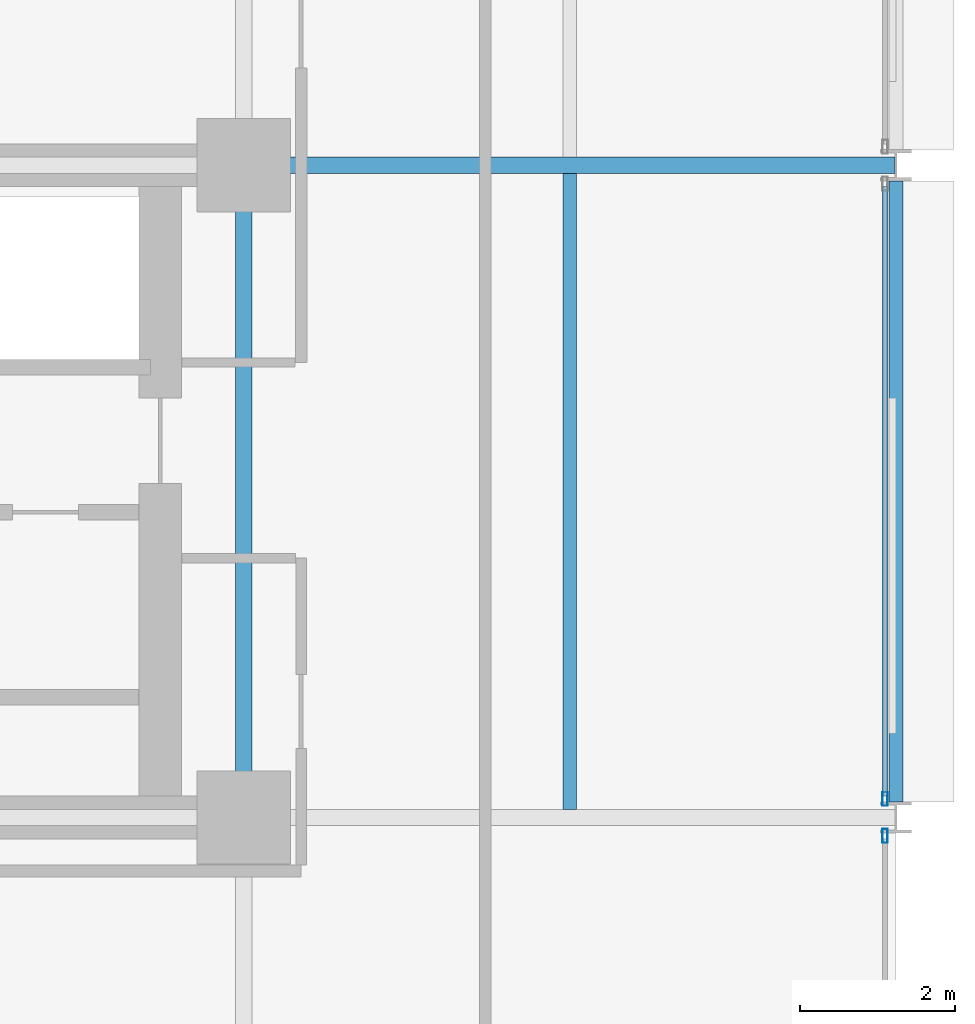
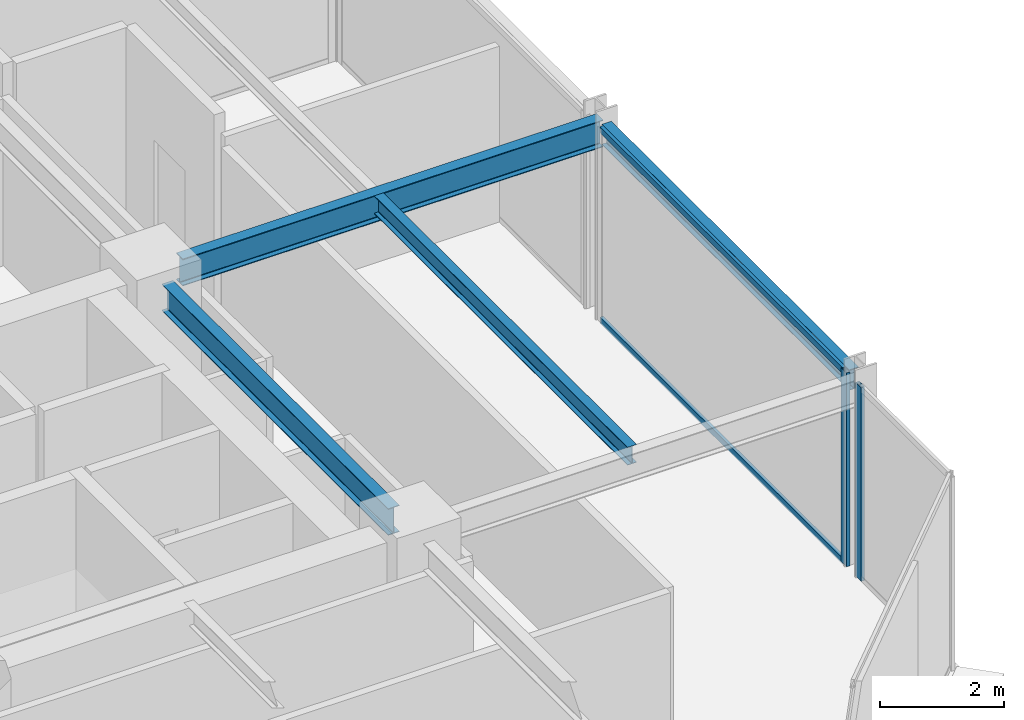
# One storey, part 14 of 30: 4 beams, 4 members, 2 elements without a shape of their own.
"""IFC4 building model written with IfcOpenShell, lengths in metres."""

from ifc_helpers import new_model, si_unit, direction, frame, origin, origin_2d, place, context, subcontext, project, spatial, hollow_rectangle, i_section, extrude, material, layer, layer_set, material_profile, profile_set, type_object, element, aggregate, save


model = new_model("IFC4")

# Units and contexts
model_context = context("Model", 3, precision=1e-05, world=origin(), true_north=direction((0.0, 1.0)))
body_context = subcontext(model_context, "Body", "Model", "MODEL_VIEW")
ifc_project = project(units=[si_unit("LENGTHUNIT", "METRE"), si_unit("AREAUNIT", "SQUARE_METRE"), si_unit("VOLUMEUNIT", "CUBIC_METRE"), si_unit("PLANEANGLEUNIT", "RADIAN"), si_unit("MASSUNIT", "GRAM", prefix="KILO")], contexts=[model_context])

# Site, building, storey
site_placement = place(None, origin())
site = spatial("IfcSite", under=ifc_project, at=site_placement, CompositionType="ELEMENT")
building_placement = place(site_placement, origin())
building = spatial("IfcBuilding", under=site, at=building_placement, Name="Nerrivon Quay Data Exchange", CompositionType="ELEMENT")
storey_placement = place(building_placement, frame((0.0, 0.0, 141.800048828125)))
storey = spatial("IfcBuildingStorey", under=building, at=storey_placement, Name="L33", CompositionType="ELEMENT", Elevation=141.800048828125)

# Beams
ifc_material_1 = material(Name="Steel Grade 350", Category="steel")
ifc_material_profile_1 = material_profile(ifc_material_1, i_section(OverallWidth=0.208984375, OverallDepth=0.532958984375, WebThickness=0.01025390625, FlangeThickness=0.015625, FilletRadius=0.013916015625, at=origin_2d()), Name="530UB92.4")
ifc_profile_set_1 = profile_set([ifc_material_profile_1], Name="Steel Grade 350")
beam_type_1 = type_object("IfcBeamType", Name="BM-G3-530UB92", PredefinedType="BEAM", material=ifc_profile_set_1)
beam_1_placement = place(storey_placement, frame((34.139892578125, 16.800048828125, 3.558349609375), z_axis=(1.0, 0.0, 0.0), x_axis=(0.0, 1.0, 0.0)))
element("IfcBeam", 1, at=beam_1_placement, inside=storey, type_object=beam_type_1, Name="L33 EW Girder Y=16.8 (33.6..42.0)", PredefinedType="BEAM", context=body_context, shape_type="SweptSolid", body=[
    extrude(i_section(OverallWidth=0.208984375, OverallDepth=0.532958984375, WebThickness=0.01025390625, FlangeThickness=0.015625, FilletRadius=0.013916015625, at=origin_2d()), origin(), (0.0, 0.0, 1.0), 7.84765625),
])
ifc_material_profile_2 = material_profile(ifc_material_1, i_section(OverallWidth=0.208984375, OverallDepth=0.528076171875, WebThickness=0.009521484375, FlangeThickness=0.01318359375, FilletRadius=0.013916015625, at=origin_2d()), Name="530UB82.0")
ifc_profile_set_2 = profile_set([ifc_material_profile_2], Name="Steel Grade 350")
beam_type_2 = type_object("IfcBeamType", Name="BM-G4-530UB82", PredefinedType="BEAM", material=ifc_profile_set_2)
beam_2_placement = place(storey_placement, frame((33.60009765625, 8.93994140625, 3.56103515625), z_axis=(0.0, 1.0, 0.0), x_axis=(-1.0, 0.0, 0.0)))
element("IfcBeam", 2, at=beam_2_placement, inside=storey, type_object=beam_type_2, Name="L33 NS Girder X=33.6 (8.4..16.8)", PredefinedType="BEAM", context=body_context, shape_type="SweptSolid", body=[
    extrude(i_section(OverallWidth=0.208984375, OverallDepth=0.528076171875, WebThickness=0.009521484375, FlangeThickness=0.01318359375, FilletRadius=0.013916015625, at=origin_2d()), origin(), (0.0, 0.0, 1.0), 7.320068359375),
])
ifc_material_profile_3 = material_profile(ifc_material_1, i_section(OverallWidth=0.1708984375, OverallDepth=0.35595703125, WebThickness=0.00732421875, FlangeThickness=0.011474609375, FilletRadius=0.011474609375, at=origin_2d()), Name="360UB50.7")
ifc_profile_set_3 = profile_set([ifc_material_profile_3], Name="Steel Grade 350")
beam_type_3 = type_object("IfcBeamType", Name="BM-J4-360UB51", PredefinedType="JOIST", material=ifc_profile_set_3)
beam_3_placement = place(storey_placement, frame((37.800048828125, 8.50439453125, 3.64697265625), z_axis=(0.0, 1.0, 0.0), x_axis=(-1.0, 0.0, 0.0)))
element("IfcBeam", 3, at=beam_3_placement, inside=storey, type_object=beam_type_3, Name="L33 Secondary Joist X=37.8 (8.4..16.8)", PredefinedType="JOIST", context=body_context, shape_type="SweptSolid", body=[
    extrude(i_section(OverallWidth=0.1708984375, OverallDepth=0.35595703125, WebThickness=0.00732421875, FlangeThickness=0.011474609375, FilletRadius=0.011474609375, at=origin_2d()), origin(), (0.0, 0.0, 1.0), 8.191162109375),
])
ifc_material_profile_4 = material_profile(ifc_material_1, i_section(OverallWidth=0.177978515625, OverallDepth=0.403076171875, WebThickness=0.007568359375, FlangeThickness=0.010986328125, FilletRadius=0.011474609375, at=origin_2d()), Name="410UB53.7")
ifc_profile_set_4 = profile_set([ifc_material_profile_4], Name="Steel Grade 350")
beam_type_4 = type_object("IfcBeamType", Name="BM-SP2-410UB54", PredefinedType="SPANDREL", material=ifc_profile_set_4)
beam_4_placement = place(storey_placement, frame((42.0, 8.60009765625, 3.62353515625), z_axis=(0.0, 1.0, 0.0), x_axis=(-1.0, 0.0, 0.0)))
element("IfcBeam", 4, at=beam_4_placement, inside=storey, type_object=beam_type_4, Name="L33 NS Girder X=42.0 (8.4..16.8)", PredefinedType="SPANDREL", context=body_context, shape_type="SweptSolid", body=[
    extrude(i_section(OverallWidth=0.177978515625, OverallDepth=0.403076171875, WebThickness=0.007568359375, FlangeThickness=0.010986328125, FilletRadius=0.011474609375, at=origin_2d()), origin(), (0.0, 0.0, 1.0), 8.0),
])

# Curtain wall, member
ifc_material_2 = material(Name="Anodised aluminium 6063-T6", Category="aluminium")
ifc_layer = layer(ifc_material_2, 0.2099609375)
ifc_layer_set = layer_set([ifc_layer], Name="Anodised aluminium 6063-T6")
curtain_wall_type = type_object("IfcCurtainWallType", Name="CW-SYS-02", PredefinedType="NOTDEFINED", material=ifc_layer_set)
curtain_wall_1_placement = place(storey_placement, origin())
curtain_wall_1 = element("IfcCurtainWall", 5, at=curtain_wall_1_placement, inside=storey, type_object=curtain_wall_type, Name="L33 Unitised Curtain Wall 29", PredefinedType="NOTDEFINED")
ifc_material_profile_5 = material_profile(ifc_material_2, hollow_rectangle(XDim=0.06494140625, YDim=0.179931640625, WallThickness=0.00341796875, at=origin_2d()), Name="ALU-MULL-180x65")
ifc_profile_set_5 = profile_set([ifc_material_profile_5], Name="Anodised aluminium 6063-T6")
member_type_1 = type_object("IfcMemberType", Name="CWM-180x65", PredefinedType="MULLION", material=ifc_profile_set_5)
member_1_placement = place(storey_placement, frame((41.860107421875, 8.637451171875, 0.0), z_axis=(0.0, 0.0, 1.0), x_axis=(1.0, 0.0, 0.0)))
member_1 = element("IfcMember", 6, at=member_1_placement, type_object=member_type_1, Name="CW02 mullion 2", PredefinedType="MULLION", context=body_context, shape_type="SweptSolid", body=[
    extrude(hollow_rectangle(XDim=0.06494140625, YDim=0.179931640625, WallThickness=0.00341796875, at=origin_2d()), origin(), (0.0, 0.0, 1.0), 3.824951171875),
])

curtain_wall_2_placement = place(storey_placement, origin())
curtain_wall_2 = element("IfcCurtainWall", 7, at=curtain_wall_2_placement, inside=storey, type_object=curtain_wall_type, Name="L33 Unitised Curtain Wall 30", PredefinedType="NOTDEFINED")
member_2_placement = place(storey_placement, frame((41.860107421875, 8.16259765625, 0.0), z_axis=(0.0, 0.0, 1.0), x_axis=(1.0, 0.0, 0.0)))
member_2 = element("IfcMember", 8, at=member_2_placement, type_object=member_type_1, Name="CW02 mullion 1", PredefinedType="MULLION", context=body_context, shape_type="SweptSolid", body=[
    extrude(hollow_rectangle(XDim=0.06494140625, YDim=0.179931640625, WallThickness=0.00341796875, at=origin_2d()), origin(), (0.0, 0.0, 1.0), 3.824951171875),
])
aggregate(curtain_wall_2, [member_2])

# Member
ifc_material_profile_6 = material_profile(ifc_material_2, hollow_rectangle(XDim=0.06005859375, YDim=0.1201171875, WallThickness=0.003173828125, at=origin_2d()), Name="ALU-TRAN-120x60")
ifc_profile_set_6 = profile_set([ifc_material_profile_6], Name="Anodised aluminium 6063-T6")
member_type_2 = type_object("IfcMemberType", Name="CWT-120x60", PredefinedType="USERDEFINED", material=ifc_profile_set_6)
member_3_placement = place(storey_placement, frame((41.860107421875, 16.52490234375, 0.032470703125), z_axis=(0.0, -1.0, 0.0), x_axis=(1.0, 0.0, 0.0)))
member_3 = element("IfcMember", 9, at=member_3_placement, type_object=member_type_2, Name="CW02 transom 1.1", ObjectType="TRANSOM", PredefinedType="USERDEFINED", context=body_context, shape_type="SweptSolid", body=[
    extrude(hollow_rectangle(XDim=0.06005859375, YDim=0.1201171875, WallThickness=0.003173828125, at=origin_2d()), origin(), (0.0, 0.0, 1.0), 7.849853515625),
])

member_4_placement = place(storey_placement, frame((41.860107421875, 16.52490234375, 3.79248046875), z_axis=(0.0, -1.0, 0.0), x_axis=(1.0, 0.0, 0.0)))
member_4 = element("IfcMember", 10, at=member_4_placement, type_object=member_type_2, Name="CW02 transom 1.2", ObjectType="TRANSOM", PredefinedType="USERDEFINED", context=body_context, shape_type="SweptSolid", body=[
    extrude(hollow_rectangle(XDim=0.06005859375, YDim=0.1201171875, WallThickness=0.003173828125, at=origin_2d()), origin(), (0.0, 0.0, 1.0), 7.849853515625),
])

aggregate(curtain_wall_1, [member_1, member_3, member_4])

save(model, "model.ifc")
